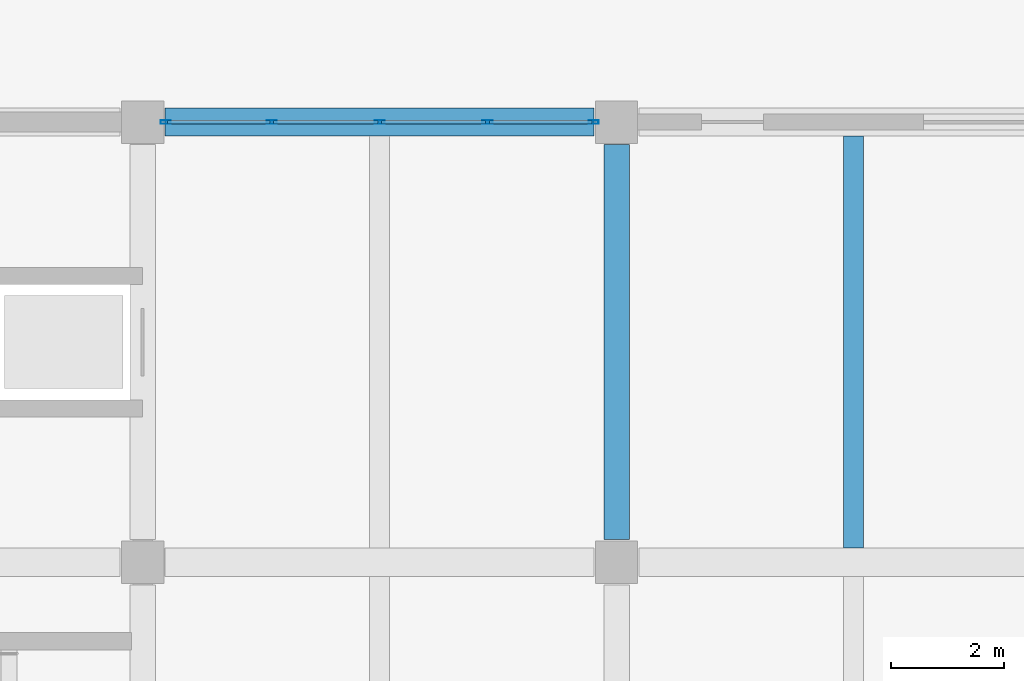
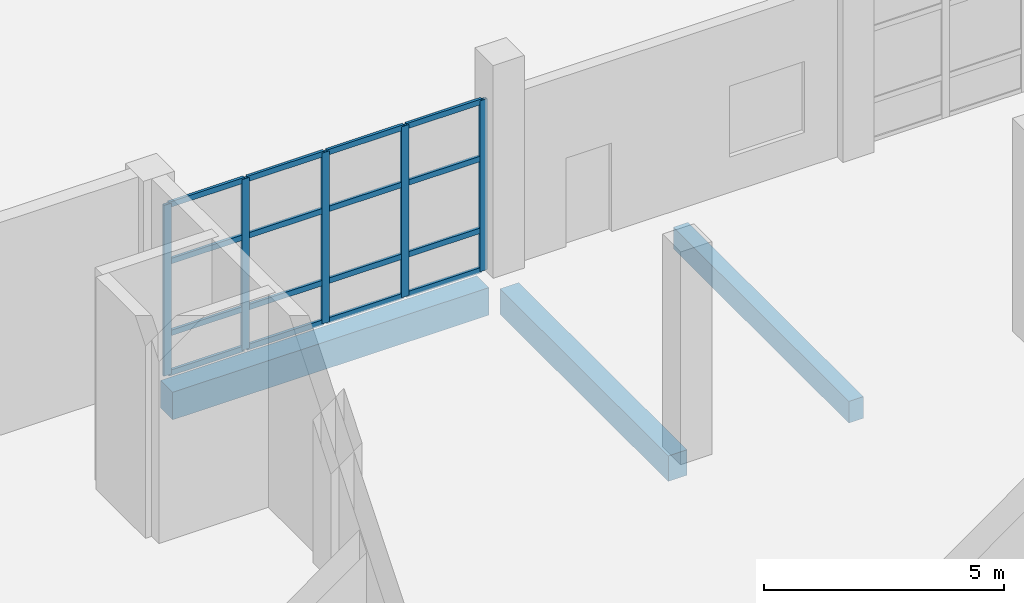
# One storey, part 15 of 78: 21 members, 3 beams, 1 element without a shape of its own.
"""IFC4 building model written with IfcOpenShell, lengths in metres."""

from ifc_helpers import new_model, si_unit, direction, frame, origin, origin_2d, place, context, subcontext, project, spatial, rectangle, hollow_rectangle, extrude, material, material_profile, profile_set, type_object, element, aggregate, save


model = new_model("IFC4")

# Units and contexts
model_context = context("Model", 3, precision=1e-05, world=origin(), true_north=direction((0.0, 1.0)))
body_context = subcontext(model_context, "Body", "Model", "MODEL_VIEW")
ifc_project = project(units=[si_unit("LENGTHUNIT", "METRE"), si_unit("AREAUNIT", "SQUARE_METRE"), si_unit("VOLUMEUNIT", "CUBIC_METRE"), si_unit("PLANEANGLEUNIT", "RADIAN"), si_unit("MASSUNIT", "GRAM", prefix="KILO")], contexts=[model_context])

# Site, building, storey
site_placement = place(None, origin())
site = spatial("IfcSite", under=ifc_project, at=site_placement, CompositionType="ELEMENT")
building_placement = place(site_placement, origin())
building = spatial("IfcBuilding", under=site, at=building_placement, Name="Pellamere Symphony Hall", CompositionType="ELEMENT")
storey_placement = place(building_placement, origin())
storey = spatial("IfcBuildingStorey", under=building, at=storey_placement, Name="L00", CompositionType="ELEMENT", Elevation=0.0)

# Curtain wall, members
ifc_material_1 = material(Name="Thermally Broken Anodised Aluminium 6063-T6 Curtain Wall", Category="aluminium")
curtain_wall_type = type_object("IfcCurtainWallType", Name="Curtain Wall CW-04 (Chamber Music Lobby Curtain Wall)", PredefinedType="NOTDEFINED", material=ifc_material_1)
curtain_wall_placement = place(storey_placement, origin())
curtain_wall = element("IfcCurtainWall", 1, at=curtain_wall_placement, inside=storey, type_object=curtain_wall_type, Name="Chamber Garden North Curtain Wall (L00 Bay 1)", PredefinedType="NOTDEFINED")
ifc_material_2 = material(Name="Anodised Architectural Aluminium 6063-T6", Category="aluminium")
ifc_material_profile_1 = material_profile(ifc_material_2, hollow_rectangle(XDim=0.06494140625, YDim=0.179931640625, WallThickness=0.00390625, at=origin_2d()), Name="ALU-M65X180X4")
ifc_profile_set_1 = profile_set([ifc_material_profile_1], Name="Anodised Architectural Aluminium 6063-T6")
member_type_1 = type_object("IfcMemberType", Name="Curtain Wall Mullion ML-02 ALU-M65X180X4", PredefinedType="MULLION", material=ifc_profile_set_1)
member_1_placement = place(storey_placement, frame((8.8076171875, 54.0, 0.0), z_axis=(0.0, 0.0, 1.0), x_axis=(0.0, 1.0, 0.0)))
member_1 = element("IfcMember", 2, at=member_1_placement, type_object=member_type_1, Name="CW4N-112 crystal mullion 1", PredefinedType="MULLION", context=body_context, shape_type="SweptSolid", body=[
    extrude(hollow_rectangle(XDim=0.06494140625, YDim=0.179931640625, WallThickness=0.00390625, at=origin_2d()), origin(), (0.0, 0.0, 1.0), 4.340087890625),
])
member_2_placement = place(storey_placement, frame((10.6875, 54.0, 0.0), z_axis=(0.0, 0.0, 1.0), x_axis=(0.0, 1.0, 0.0)))
member_2 = element("IfcMember", 3, at=member_2_placement, type_object=member_type_1, Name="CW4N-112 crystal mullion 2", PredefinedType="MULLION", context=body_context, shape_type="SweptSolid", body=[
    extrude(hollow_rectangle(XDim=0.06494140625, YDim=0.179931640625, WallThickness=0.00390625, at=origin_2d()), origin(), (0.0, 0.0, 1.0), 4.340087890625),
])
member_3_placement = place(storey_placement, frame((12.60009765625, 54.0, 0.0), z_axis=(0.0, 0.0, 1.0), x_axis=(0.0, 1.0, 0.0)))
member_3 = element("IfcMember", 4, at=member_3_placement, type_object=member_type_1, Name="CW4N-112 crystal mullion 3", PredefinedType="MULLION", context=body_context, shape_type="SweptSolid", body=[
    extrude(hollow_rectangle(XDim=0.06494140625, YDim=0.179931640625, WallThickness=0.00390625, at=origin_2d()), origin(), (0.0, 0.0, 1.0), 4.340087890625),
])
member_4_placement = place(storey_placement, frame((14.512451171875, 54.0, 0.0), z_axis=(0.0, 0.0, 1.0), x_axis=(0.0, 1.0, 0.0)))
member_4 = element("IfcMember", 5, at=member_4_placement, type_object=member_type_1, Name="CW4N-112 crystal mullion 4", PredefinedType="MULLION", context=body_context, shape_type="SweptSolid", body=[
    extrude(hollow_rectangle(XDim=0.06494140625, YDim=0.179931640625, WallThickness=0.00390625, at=origin_2d()), origin(), (0.0, 0.0, 1.0), 4.340087890625),
])
member_5_placement = place(storey_placement, frame((16.392578125, 54.0, 0.0), z_axis=(0.0, 0.0, 1.0), x_axis=(0.0, 1.0, 0.0)))
member_5 = element("IfcMember", 6, at=member_5_placement, type_object=member_type_1, Name="CW4N-112 crystal mullion 5", PredefinedType="MULLION", context=body_context, shape_type="SweptSolid", body=[
    extrude(hollow_rectangle(XDim=0.06494140625, YDim=0.179931640625, WallThickness=0.00390625, at=origin_2d()), origin(), (0.0, 0.0, 1.0), 4.340087890625),
])
ifc_material_profile_2 = material_profile(ifc_material_2, hollow_rectangle(XDim=0.06494140625, YDim=0.139892578125, WallThickness=0.00390625, at=origin_2d()), Name="ALU-T65X140X4")
ifc_profile_set_2 = profile_set([ifc_material_profile_2], Name="Anodised Architectural Aluminium 6063-T6")
member_type_2 = type_object("IfcMemberType", Name="Curtain Wall Transom TR-02 ALU-T65X140X4", PredefinedType="USERDEFINED", material=ifc_profile_set_2)
member_6_placement = place(storey_placement, frame((8.840087890625, 54.0, 0.032470703125), z_axis=(1.0, 0.0, 0.0), x_axis=(0.0, 1.0, 0.0)))
member_6 = element("IfcMember", 7, at=member_6_placement, type_object=member_type_2, Name="CW4N-112 crystal transom 1.1", ObjectType="TRANSOM", PredefinedType="USERDEFINED", context=body_context, shape_type="SweptSolid", body=[
    extrude(hollow_rectangle(XDim=0.06494140625, YDim=0.139892578125, WallThickness=0.00390625, at=origin_2d()), origin(), (0.0, 0.0, 1.0), 1.81494140625),
])
member_7_placement = place(storey_placement, frame((8.840087890625, 54.0, 1.04150390625), z_axis=(1.0, 0.0, 0.0), x_axis=(0.0, 1.0, 0.0)))
member_7 = element("IfcMember", 8, at=member_7_placement, type_object=member_type_2, Name="CW4N-112 crystal transom 1.2", ObjectType="TRANSOM", PredefinedType="USERDEFINED", context=body_context, shape_type="SweptSolid", body=[
    extrude(hollow_rectangle(XDim=0.06494140625, YDim=0.139892578125, WallThickness=0.00390625, at=origin_2d()), origin(), (0.0, 0.0, 1.0), 1.81494140625),
])
member_8_placement = place(storey_placement, frame((8.840087890625, 54.0, 2.864501953125), z_axis=(1.0, 0.0, 0.0), x_axis=(0.0, 1.0, 0.0)))
member_8 = element("IfcMember", 9, at=member_8_placement, type_object=member_type_2, Name="CW4N-112 crystal transom 1.3", ObjectType="TRANSOM", PredefinedType="USERDEFINED", context=body_context, shape_type="SweptSolid", body=[
    extrude(hollow_rectangle(XDim=0.06494140625, YDim=0.139892578125, WallThickness=0.00390625, at=origin_2d()), origin(), (0.0, 0.0, 1.0), 1.81494140625),
])
member_9_placement = place(storey_placement, frame((8.840087890625, 54.0, 4.3076171875), z_axis=(1.0, 0.0, 0.0), x_axis=(0.0, 1.0, 0.0)))
member_9 = element("IfcMember", 10, at=member_9_placement, type_object=member_type_2, Name="CW4N-112 crystal transom 1.4", ObjectType="TRANSOM", PredefinedType="USERDEFINED", context=body_context, shape_type="SweptSolid", body=[
    extrude(hollow_rectangle(XDim=0.06494140625, YDim=0.139892578125, WallThickness=0.00390625, at=origin_2d()), origin(), (0.0, 0.0, 1.0), 1.81494140625),
])
member_10_placement = place(storey_placement, frame((10.719970703125, 54.0, 0.032470703125), z_axis=(1.0, 0.0, 0.0), x_axis=(0.0, 1.0, 0.0)))
member_10 = element("IfcMember", 11, at=member_10_placement, type_object=member_type_2, Name="CW4N-112 crystal transom 2.1", ObjectType="TRANSOM", PredefinedType="USERDEFINED", context=body_context, shape_type="SweptSolid", body=[
    extrude(hollow_rectangle(XDim=0.06494140625, YDim=0.139892578125, WallThickness=0.00390625, at=origin_2d()), origin(), (0.0, 0.0, 1.0), 1.847412109375),
])
member_11_placement = place(storey_placement, frame((10.719970703125, 54.0, 1.04150390625), z_axis=(1.0, 0.0, 0.0), x_axis=(0.0, 1.0, 0.0)))
member_11 = element("IfcMember", 12, at=member_11_placement, type_object=member_type_2, Name="CW4N-112 crystal transom 2.2", ObjectType="TRANSOM", PredefinedType="USERDEFINED", context=body_context, shape_type="SweptSolid", body=[
    extrude(hollow_rectangle(XDim=0.06494140625, YDim=0.139892578125, WallThickness=0.00390625, at=origin_2d()), origin(), (0.0, 0.0, 1.0), 1.847412109375),
])
member_12_placement = place(storey_placement, frame((10.719970703125, 54.0, 2.864501953125), z_axis=(1.0, 0.0, 0.0), x_axis=(0.0, 1.0, 0.0)))
member_12 = element("IfcMember", 13, at=member_12_placement, type_object=member_type_2, Name="CW4N-112 crystal transom 2.3", ObjectType="TRANSOM", PredefinedType="USERDEFINED", context=body_context, shape_type="SweptSolid", body=[
    extrude(hollow_rectangle(XDim=0.06494140625, YDim=0.139892578125, WallThickness=0.00390625, at=origin_2d()), origin(), (0.0, 0.0, 1.0), 1.847412109375),
])
member_13_placement = place(storey_placement, frame((10.719970703125, 54.0, 4.3076171875), z_axis=(1.0, 0.0, 0.0), x_axis=(0.0, 1.0, 0.0)))
member_13 = element("IfcMember", 14, at=member_13_placement, type_object=member_type_2, Name="CW4N-112 crystal transom 2.4", ObjectType="TRANSOM", PredefinedType="USERDEFINED", context=body_context, shape_type="SweptSolid", body=[
    extrude(hollow_rectangle(XDim=0.06494140625, YDim=0.139892578125, WallThickness=0.00390625, at=origin_2d()), origin(), (0.0, 0.0, 1.0), 1.847412109375),
])
member_14_placement = place(storey_placement, frame((12.632568359375, 54.0, 0.032470703125), z_axis=(1.0, 0.0, 0.0), x_axis=(0.0, 1.0, 0.0)))
member_14 = element("IfcMember", 15, at=member_14_placement, type_object=member_type_2, Name="CW4N-112 crystal transom 3.1", ObjectType="TRANSOM", PredefinedType="USERDEFINED", context=body_context, shape_type="SweptSolid", body=[
    extrude(hollow_rectangle(XDim=0.06494140625, YDim=0.139892578125, WallThickness=0.00390625, at=origin_2d()), origin(), (0.0, 0.0, 1.0), 1.847412109375),
])
member_15_placement = place(storey_placement, frame((12.632568359375, 54.0, 1.04150390625), z_axis=(1.0, 0.0, 0.0), x_axis=(0.0, 1.0, 0.0)))
member_15 = element("IfcMember", 16, at=member_15_placement, type_object=member_type_2, Name="CW4N-112 crystal transom 3.2", ObjectType="TRANSOM", PredefinedType="USERDEFINED", context=body_context, shape_type="SweptSolid", body=[
    extrude(hollow_rectangle(XDim=0.06494140625, YDim=0.139892578125, WallThickness=0.00390625, at=origin_2d()), origin(), (0.0, 0.0, 1.0), 1.847412109375),
])
member_16_placement = place(storey_placement, frame((12.632568359375, 54.0, 2.864501953125), z_axis=(1.0, 0.0, 0.0), x_axis=(0.0, 1.0, 0.0)))
member_16 = element("IfcMember", 17, at=member_16_placement, type_object=member_type_2, Name="CW4N-112 crystal transom 3.3", ObjectType="TRANSOM", PredefinedType="USERDEFINED", context=body_context, shape_type="SweptSolid", body=[
    extrude(hollow_rectangle(XDim=0.06494140625, YDim=0.139892578125, WallThickness=0.00390625, at=origin_2d()), origin(), (0.0, 0.0, 1.0), 1.847412109375),
])
member_17_placement = place(storey_placement, frame((12.632568359375, 54.0, 4.3076171875), z_axis=(1.0, 0.0, 0.0), x_axis=(0.0, 1.0, 0.0)))
member_17 = element("IfcMember", 18, at=member_17_placement, type_object=member_type_2, Name="CW4N-112 crystal transom 3.4", ObjectType="TRANSOM", PredefinedType="USERDEFINED", context=body_context, shape_type="SweptSolid", body=[
    extrude(hollow_rectangle(XDim=0.06494140625, YDim=0.139892578125, WallThickness=0.00390625, at=origin_2d()), origin(), (0.0, 0.0, 1.0), 1.847412109375),
])
member_18_placement = place(storey_placement, frame((14.544921875, 54.0, 0.032470703125), z_axis=(1.0, 0.0, 0.0), x_axis=(0.0, 1.0, 0.0)))
member_18 = element("IfcMember", 19, at=member_18_placement, type_object=member_type_2, Name="CW4N-112 crystal transom 4.1", ObjectType="TRANSOM", PredefinedType="USERDEFINED", context=body_context, shape_type="SweptSolid", body=[
    extrude(hollow_rectangle(XDim=0.06494140625, YDim=0.139892578125, WallThickness=0.00390625, at=origin_2d()), origin(), (0.0, 0.0, 1.0), 1.815185546875),
])
member_19_placement = place(storey_placement, frame((14.544921875, 54.0, 1.04150390625), z_axis=(1.0, 0.0, 0.0), x_axis=(0.0, 1.0, 0.0)))
member_19 = element("IfcMember", 20, at=member_19_placement, type_object=member_type_2, Name="CW4N-112 crystal transom 4.2", ObjectType="TRANSOM", PredefinedType="USERDEFINED", context=body_context, shape_type="SweptSolid", body=[
    extrude(hollow_rectangle(XDim=0.06494140625, YDim=0.139892578125, WallThickness=0.00390625, at=origin_2d()), origin(), (0.0, 0.0, 1.0), 1.815185546875),
])
member_20_placement = place(storey_placement, frame((14.544921875, 54.0, 2.864501953125), z_axis=(1.0, 0.0, 0.0), x_axis=(0.0, 1.0, 0.0)))
member_20 = element("IfcMember", 21, at=member_20_placement, type_object=member_type_2, Name="CW4N-112 crystal transom 4.3", ObjectType="TRANSOM", PredefinedType="USERDEFINED", context=body_context, shape_type="SweptSolid", body=[
    extrude(hollow_rectangle(XDim=0.06494140625, YDim=0.139892578125, WallThickness=0.00390625, at=origin_2d()), origin(), (0.0, 0.0, 1.0), 1.815185546875),
])
member_21_placement = place(storey_placement, frame((14.544921875, 54.0, 4.3076171875), z_axis=(1.0, 0.0, 0.0), x_axis=(0.0, 1.0, 0.0)))
member_21 = element("IfcMember", 22, at=member_21_placement, type_object=member_type_2, Name="CW4N-112 crystal transom 4.4", ObjectType="TRANSOM", PredefinedType="USERDEFINED", context=body_context, shape_type="SweptSolid", body=[
    extrude(hollow_rectangle(XDim=0.06494140625, YDim=0.139892578125, WallThickness=0.00390625, at=origin_2d()), origin(), (0.0, 0.0, 1.0), 1.815185546875),
])
aggregate(curtain_wall, [member_1, member_2, member_3, member_4, member_5, member_6, member_7, member_8, member_9, member_10, member_11, member_12, member_13, member_14, member_15, member_16, member_17, member_18, member_19, member_20, member_21])

# Beams
ifc_material_3 = material(Name="Concrete 40 MPa", Category="concrete")
ifc_material_profile_3 = material_profile(ifc_material_3, rectangle(XDim=0.5, YDim=0.699951171875, at=origin_2d()), Name="RC 500x700")
ifc_profile_set_3 = profile_set([ifc_material_profile_3], Name="Concrete 40 MPa")
beam_type_1 = type_object("IfcBeamType", Name="RC CB-07 500x700", PredefinedType="BEAM", material=ifc_profile_set_3)
beam_1_placement = place(storey_placement, frame((8.800048828125, 54.0, -0.64990234375), z_axis=(1.0, 0.0, 0.0), x_axis=(0.0, 1.0, 0.0)))
element("IfcBeam", 23, at=beam_1_placement, inside=storey, type_object=beam_type_1, Name="Girder CB-07-X0111 (L00)", PredefinedType="BEAM", context=body_context, shape_type="SweptSolid", body=[
    extrude(rectangle(XDim=0.5, YDim=0.699951171875, at=origin_2d()), origin(), (0.0, 0.0, 1.0), 7.599853515625),
])
ifc_material_profile_4 = material_profile(ifc_material_3, rectangle(XDim=0.449951171875, YDim=0.64990234375, at=origin_2d()), Name="RC 450x650")
ifc_profile_set_4 = profile_set([ifc_material_profile_4], Name="Concrete 40 MPa")
beam_type_2 = type_object("IfcBeamType", Name="RC CB-08 450x650", PredefinedType="BEAM", material=ifc_profile_set_4)
beam_2_placement = place(storey_placement, frame((16.800048828125, 46.60009765625, -0.625), z_axis=(0.0, 1.0, 0.0), x_axis=(-1.0, 0.0, 0.0)))
element("IfcBeam", 24, at=beam_2_placement, inside=storey, type_object=beam_type_2, Name="Girder CB-08-Y0214 (L00)", PredefinedType="BEAM", context=body_context, shape_type="SweptSolid", body=[
    extrude(rectangle(XDim=0.449951171875, YDim=0.64990234375, at=origin_2d()), origin(), (0.0, 0.0, 1.0), 7.0),
])
ifc_material_4 = material(Name="Concrete 35 MPa", Category="concrete")
ifc_material_profile_5 = material_profile(ifc_material_4, rectangle(XDim=0.35009765625, YDim=0.550048828125, at=origin_2d()), Name="RC 350x550")
ifc_profile_set_5 = profile_set([ifc_material_profile_5], Name="Concrete 35 MPa")
beam_type_3 = type_object("IfcBeamType", Name="RC CB-10 350x550", PredefinedType="BEAM", material=ifc_profile_set_5)
beam_3_placement = place(storey_placement, frame((21.0, 46.449951171875, -0.590087890625), z_axis=(0.0, 1.0, 0.0), x_axis=(-1.0, 0.0, 0.0)))
element("IfcBeam", 25, at=beam_3_placement, inside=storey, type_object=beam_type_3, Name="Secondary Floor Beam CB-10-M0206 (L00)", PredefinedType="BEAM", context=body_context, shape_type="SweptSolid", body=[
    extrude(rectangle(XDim=0.35009765625, YDim=0.550048828125, at=origin_2d()), origin(), (0.0, 0.0, 1.0), 7.300048828125),
])

save(model, "model.ifc")
